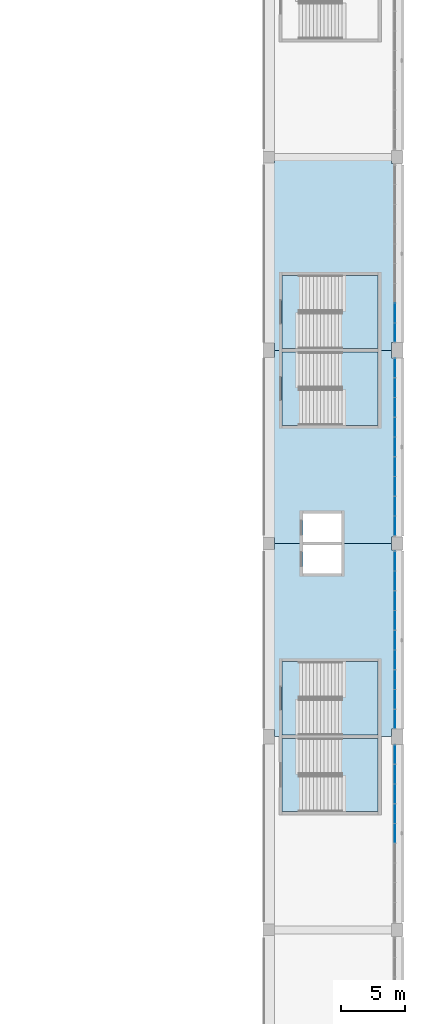
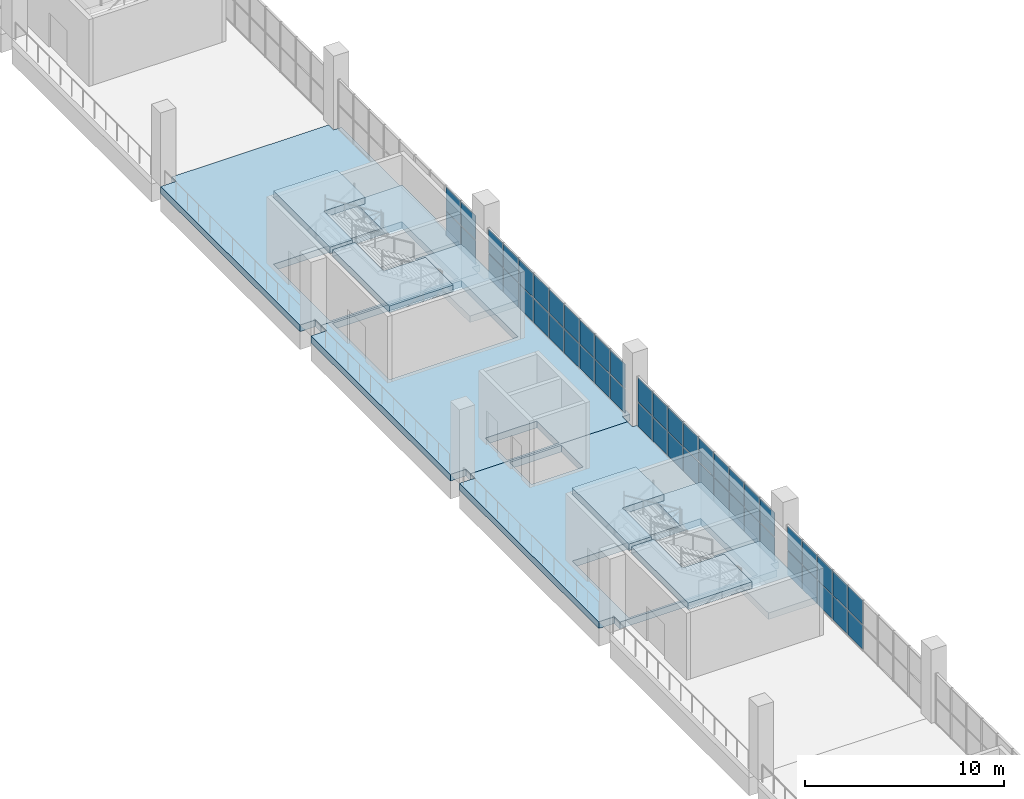
# One storey, part 51 of 177: 50 plates, 11 slabs, 8 elements without a shape of their own.
"""IFC4 building model written with IfcOpenShell, lengths in metres."""

from ifc_helpers import new_model, si_unit, direction, frame, origin, origin_2d, place, context, subcontext, project, spatial, polyline, rectangle, outline, extrude, material, layer, layer_set, type_object, element, aggregate, save


model = new_model("IFC4")

# Units and contexts
model_context = context("Model", 3, precision=1e-05, world=origin(), true_north=direction((0.0, 1.0)))
body_context = subcontext(model_context, "Body", "Model", "MODEL_VIEW")
ifc_project = project(units=[si_unit("LENGTHUNIT", "METRE"), si_unit("AREAUNIT", "SQUARE_METRE"), si_unit("VOLUMEUNIT", "CUBIC_METRE"), si_unit("PLANEANGLEUNIT", "RADIAN"), si_unit("MASSUNIT", "GRAM", prefix="KILO")], contexts=[model_context])

# Site, building, storey
site_placement = place(None, origin())
site = spatial("IfcSite", under=ifc_project, at=site_placement, CompositionType="ELEMENT")
building_placement = place(site_placement, origin())
building = spatial("IfcBuilding", under=site, at=building_placement, Name="Ogive Plaza Stadium", CompositionType="ELEMENT")
storey_placement = place(building_placement, frame((0.0, 0.0, 18.0)))
storey = spatial("IfcBuildingStorey", under=building, at=storey_placement, Name="L04", CompositionType="ELEMENT", Elevation=18.0)

# Curtain wall, plates
ifc_material_1 = material(Name="Bronze-anodised aluminium with laminated glass", Category="aluminium")
curtain_wall_type = type_object("IfcCurtainWallType", Name="Lancet curtain wall", PredefinedType="NOTDEFINED", material=ifc_material_1)
curtain_wall_1_placement = place(storey_placement, origin())
curtain_wall_1 = element("IfcCurtainWall", 1, at=curtain_wall_1_placement, inside=storey, type_object=curtain_wall_type, Name="CURTAIN WALL B03 L04", PredefinedType="NOTDEFINED")
ifc_material_2 = material(Name="Laminated glass", Category="glass")
ifc_layer_1 = layer(ifc_material_2, 0.028076171875)
ifc_layer_set_1 = layer_set([ifc_layer_1], Name="Laminated glass panel 28")
plate_type = type_object("IfcPlateType", Name="Laminated glass panel 28", PredefinedType="CURTAIN_PANEL", material=ifc_layer_set_1)
plate_1_placement = place(storey_placement, frame((83.800048828125, 10.39990234375, 0.0498046875), z_axis=(0.0, 0.0, 1.0), x_axis=(0.0, -1.0, 0.0)))
plate_1 = element("IfcPlate", 2, at=plate_1_placement, type_object=plate_type, Name="CW-B03-L04 panel 8.1", PredefinedType="CURTAIN_PANEL", context=body_context, shape_type="SweptSolid", body=[
    extrude(rectangle(XDim=1.4833984375, YDim=0.028076171875, at=origin_2d()), origin(), (0.0, 0.0, 1.0), 1.469970703125),
])
plate_2_placement = place(storey_placement, frame((83.800048828125, 10.39990234375, 1.56982421875), z_axis=(0.0, 0.0, 1.0), x_axis=(0.0, -1.0, 0.0)))
plate_2 = element("IfcPlate", 3, at=plate_2_placement, type_object=plate_type, Name="CW-B03-L04 panel 8.2", PredefinedType="CURTAIN_PANEL", context=body_context, shape_type="SweptSolid", body=[
    extrude(rectangle(XDim=1.4833984375, YDim=0.028076171875, at=origin_2d()), origin(), (0.0, 0.0, 1.0), 1.469970703125),
])
plate_3_placement = place(storey_placement, frame((83.800048828125, 8.879150390625, 0.0498046875), z_axis=(0.0, 0.0, 1.0), x_axis=(0.0, -1.0, 0.0)))
plate_3 = element("IfcPlate", 4, at=plate_3_placement, type_object=plate_type, Name="CW-B03-L04 panel 9.1", PredefinedType="CURTAIN_PANEL", context=body_context, shape_type="SweptSolid", body=[
    extrude(rectangle(XDim=1.458251953125, YDim=0.028076171875, at=origin_2d()), origin(), (0.0, 0.0, 1.0), 1.469970703125),
])
plate_4_placement = place(storey_placement, frame((83.800048828125, 8.879150390625, 1.56982421875), z_axis=(0.0, 0.0, 1.0), x_axis=(0.0, -1.0, 0.0)))
plate_4 = element("IfcPlate", 5, at=plate_4_placement, type_object=plate_type, Name="CW-B03-L04 panel 9.2", PredefinedType="CURTAIN_PANEL", context=body_context, shape_type="SweptSolid", body=[
    extrude(rectangle(XDim=1.458251953125, YDim=0.028076171875, at=origin_2d()), origin(), (0.0, 0.0, 1.0), 1.469970703125),
])
aggregate(curtain_wall_1, [plate_1, plate_2, plate_3, plate_4])

curtain_wall_2_placement = place(storey_placement, origin())
curtain_wall_2 = element("IfcCurtainWall", 6, at=curtain_wall_2_placement, inside=storey, type_object=curtain_wall_type, Name="CURTAIN WALL B04 L04", PredefinedType="NOTDEFINED")
plate_5_placement = place(storey_placement, frame((83.800048828125, 6.120849609375, 0.0498046875), z_axis=(0.0, 0.0, 1.0), x_axis=(0.0, -1.0, 0.0)))
plate_5 = element("IfcPlate", 7, at=plate_5_placement, type_object=plate_type, Name="CW-B04-L04 panel 1.1", PredefinedType="CURTAIN_PANEL", context=body_context, shape_type="SweptSolid", body=[
    extrude(rectangle(XDim=1.458251953125, YDim=0.028076171875, at=origin_2d()), origin(), (0.0, 0.0, 1.0), 1.469970703125),
])
plate_6_placement = place(storey_placement, frame((83.800048828125, 6.120849609375, 1.56982421875), z_axis=(0.0, 0.0, 1.0), x_axis=(0.0, -1.0, 0.0)))
plate_6 = element("IfcPlate", 8, at=plate_6_placement, type_object=plate_type, Name="CW-B04-L04 panel 1.2", PredefinedType="CURTAIN_PANEL", context=body_context, shape_type="SweptSolid", body=[
    extrude(rectangle(XDim=1.458251953125, YDim=0.028076171875, at=origin_2d()), origin(), (0.0, 0.0, 1.0), 1.469970703125),
])
plate_7_placement = place(storey_placement, frame((83.800048828125, 4.60009765625, 0.0498046875), z_axis=(0.0, 0.0, 1.0), x_axis=(0.0, -1.0, 0.0)))
plate_7 = element("IfcPlate", 9, at=plate_7_placement, type_object=plate_type, Name="CW-B04-L04 panel 2.1", PredefinedType="CURTAIN_PANEL", context=body_context, shape_type="SweptSolid", body=[
    extrude(rectangle(XDim=1.4833984375, YDim=0.028076171875, at=origin_2d()), origin(), (0.0, 0.0, 1.0), 1.469970703125),
])
plate_8_placement = place(storey_placement, frame((83.800048828125, 4.60009765625, 1.56982421875), z_axis=(0.0, 0.0, 1.0), x_axis=(0.0, -1.0, 0.0)))
plate_8 = element("IfcPlate", 10, at=plate_8_placement, type_object=plate_type, Name="CW-B04-L04 panel 2.2", PredefinedType="CURTAIN_PANEL", context=body_context, shape_type="SweptSolid", body=[
    extrude(rectangle(XDim=1.4833984375, YDim=0.028076171875, at=origin_2d()), origin(), (0.0, 0.0, 1.0), 1.469970703125),
])
plate_9_placement = place(storey_placement, frame((83.800048828125, 3.066650390625, 0.0498046875), z_axis=(0.0, 0.0, 1.0), x_axis=(0.0, -1.0, 0.0)))
plate_9 = element("IfcPlate", 11, at=plate_9_placement, type_object=plate_type, Name="CW-B04-L04 panel 3.1", PredefinedType="CURTAIN_PANEL", context=body_context, shape_type="SweptSolid", body=[
    extrude(rectangle(XDim=1.4833984375, YDim=0.028076171875, at=origin_2d()), origin(), (0.0, 0.0, 1.0), 1.469970703125),
])
plate_10_placement = place(storey_placement, frame((83.800048828125, 3.066650390625, 1.56982421875), z_axis=(0.0, 0.0, 1.0), x_axis=(0.0, -1.0, 0.0)))
plate_10 = element("IfcPlate", 12, at=plate_10_placement, type_object=plate_type, Name="CW-B04-L04 panel 3.2", PredefinedType="CURTAIN_PANEL", context=body_context, shape_type="SweptSolid", body=[
    extrude(rectangle(XDim=1.4833984375, YDim=0.028076171875, at=origin_2d()), origin(), (0.0, 0.0, 1.0), 1.469970703125),
])
plate_11_placement = place(storey_placement, frame((83.800048828125, 1.533447265625, 0.0498046875), z_axis=(0.0, 0.0, 1.0), x_axis=(0.0, -1.0, 0.0)))
plate_11 = element("IfcPlate", 13, at=plate_11_placement, type_object=plate_type, Name="CW-B04-L04 panel 4.1", PredefinedType="CURTAIN_PANEL", context=body_context, shape_type="SweptSolid", body=[
    extrude(rectangle(XDim=1.4833984375, YDim=0.028076171875, at=origin_2d()), origin(), (0.0, 0.0, 1.0), 1.469970703125),
])
plate_12_placement = place(storey_placement, frame((83.800048828125, 1.533447265625, 1.56982421875), z_axis=(0.0, 0.0, 1.0), x_axis=(0.0, -1.0, 0.0)))
plate_12 = element("IfcPlate", 14, at=plate_12_placement, type_object=plate_type, Name="CW-B04-L04 panel 4.2", PredefinedType="CURTAIN_PANEL", context=body_context, shape_type="SweptSolid", body=[
    extrude(rectangle(XDim=1.4833984375, YDim=0.028076171875, at=origin_2d()), origin(), (0.0, 0.0, 1.0), 1.469970703125),
])
plate_13_placement = place(storey_placement, frame((83.800048828125, 0.0, 0.0498046875), z_axis=(0.0, 0.0, 1.0), x_axis=(0.0, -1.0, 0.0)))
plate_13 = element("IfcPlate", 15, at=plate_13_placement, type_object=plate_type, Name="CW-B04-L04 panel 5.1", PredefinedType="CURTAIN_PANEL", context=body_context, shape_type="SweptSolid", body=[
    extrude(rectangle(XDim=1.4833984375, YDim=0.028076171875, at=origin_2d()), origin(), (0.0, 0.0, 1.0), 1.469970703125),
])
plate_14_placement = place(storey_placement, frame((83.800048828125, 0.0, 1.56982421875), z_axis=(0.0, 0.0, 1.0), x_axis=(0.0, -1.0, 0.0)))
plate_14 = element("IfcPlate", 16, at=plate_14_placement, type_object=plate_type, Name="CW-B04-L04 panel 5.2", PredefinedType="CURTAIN_PANEL", context=body_context, shape_type="SweptSolid", body=[
    extrude(rectangle(XDim=1.4833984375, YDim=0.028076171875, at=origin_2d()), origin(), (0.0, 0.0, 1.0), 1.469970703125),
])
plate_15_placement = place(storey_placement, frame((83.800048828125, -1.533447265625, 0.0498046875), z_axis=(0.0, 0.0, 1.0), x_axis=(0.0, -1.0, 0.0)))
plate_15 = element("IfcPlate", 17, at=plate_15_placement, type_object=plate_type, Name="CW-B04-L04 panel 6.1", PredefinedType="CURTAIN_PANEL", context=body_context, shape_type="SweptSolid", body=[
    extrude(rectangle(XDim=1.4833984375, YDim=0.028076171875, at=origin_2d()), origin(), (0.0, 0.0, 1.0), 1.469970703125),
])
plate_16_placement = place(storey_placement, frame((83.800048828125, -1.533447265625, 1.56982421875), z_axis=(0.0, 0.0, 1.0), x_axis=(0.0, -1.0, 0.0)))
plate_16 = element("IfcPlate", 18, at=plate_16_placement, type_object=plate_type, Name="CW-B04-L04 panel 6.2", PredefinedType="CURTAIN_PANEL", context=body_context, shape_type="SweptSolid", body=[
    extrude(rectangle(XDim=1.4833984375, YDim=0.028076171875, at=origin_2d()), origin(), (0.0, 0.0, 1.0), 1.469970703125),
])
plate_17_placement = place(storey_placement, frame((83.800048828125, -3.066650390625, 0.0498046875), z_axis=(0.0, 0.0, 1.0), x_axis=(0.0, -1.0, 0.0)))
plate_17 = element("IfcPlate", 19, at=plate_17_placement, type_object=plate_type, Name="CW-B04-L04 panel 7.1", PredefinedType="CURTAIN_PANEL", context=body_context, shape_type="SweptSolid", body=[
    extrude(rectangle(XDim=1.4833984375, YDim=0.028076171875, at=origin_2d()), origin(), (0.0, 0.0, 1.0), 1.469970703125),
])
plate_18_placement = place(storey_placement, frame((83.800048828125, -3.066650390625, 1.56982421875), z_axis=(0.0, 0.0, 1.0), x_axis=(0.0, -1.0, 0.0)))
plate_18 = element("IfcPlate", 20, at=plate_18_placement, type_object=plate_type, Name="CW-B04-L04 panel 7.2", PredefinedType="CURTAIN_PANEL", context=body_context, shape_type="SweptSolid", body=[
    extrude(rectangle(XDim=1.4833984375, YDim=0.028076171875, at=origin_2d()), origin(), (0.0, 0.0, 1.0), 1.469970703125),
])
plate_19_placement = place(storey_placement, frame((83.800048828125, -4.60009765625, 0.0498046875), z_axis=(0.0, 0.0, 1.0), x_axis=(0.0, -1.0, 0.0)))
plate_19 = element("IfcPlate", 21, at=plate_19_placement, type_object=plate_type, Name="CW-B04-L04 panel 8.1", PredefinedType="CURTAIN_PANEL", context=body_context, shape_type="SweptSolid", body=[
    extrude(rectangle(XDim=1.4833984375, YDim=0.028076171875, at=origin_2d()), origin(), (0.0, 0.0, 1.0), 1.469970703125),
])
plate_20_placement = place(storey_placement, frame((83.800048828125, -4.60009765625, 1.56982421875), z_axis=(0.0, 0.0, 1.0), x_axis=(0.0, -1.0, 0.0)))
plate_20 = element("IfcPlate", 22, at=plate_20_placement, type_object=plate_type, Name="CW-B04-L04 panel 8.2", PredefinedType="CURTAIN_PANEL", context=body_context, shape_type="SweptSolid", body=[
    extrude(rectangle(XDim=1.4833984375, YDim=0.028076171875, at=origin_2d()), origin(), (0.0, 0.0, 1.0), 1.469970703125),
])
plate_21_placement = place(storey_placement, frame((83.800048828125, -6.120849609375, 0.0498046875), z_axis=(0.0, 0.0, 1.0), x_axis=(0.0, -1.0, 0.0)))
plate_21 = element("IfcPlate", 23, at=plate_21_placement, type_object=plate_type, Name="CW-B04-L04 panel 9.1", PredefinedType="CURTAIN_PANEL", context=body_context, shape_type="SweptSolid", body=[
    extrude(rectangle(XDim=1.458251953125, YDim=0.028076171875, at=origin_2d()), origin(), (0.0, 0.0, 1.0), 1.469970703125),
])
plate_22_placement = place(storey_placement, frame((83.800048828125, -6.120849609375, 1.56982421875), z_axis=(0.0, 0.0, 1.0), x_axis=(0.0, -1.0, 0.0)))
plate_22 = element("IfcPlate", 24, at=plate_22_placement, type_object=plate_type, Name="CW-B04-L04 panel 9.2", PredefinedType="CURTAIN_PANEL", context=body_context, shape_type="SweptSolid", body=[
    extrude(rectangle(XDim=1.458251953125, YDim=0.028076171875, at=origin_2d()), origin(), (0.0, 0.0, 1.0), 1.469970703125),
])
aggregate(curtain_wall_2, [plate_5, plate_6, plate_7, plate_8, plate_9, plate_10, plate_11, plate_12, plate_13, plate_14, plate_15, plate_16, plate_17, plate_18, plate_19, plate_20, plate_21, plate_22])

curtain_wall_3_placement = place(storey_placement, origin())
curtain_wall_3 = element("IfcCurtainWall", 25, at=curtain_wall_3_placement, inside=storey, type_object=curtain_wall_type, Name="CURTAIN WALL B05 L04", PredefinedType="NOTDEFINED")
plate_23_placement = place(storey_placement, frame((83.800048828125, -8.879150390625, 0.0498046875), z_axis=(0.0, 0.0, 1.0), x_axis=(0.0, -1.0, 0.0)))
plate_23 = element("IfcPlate", 26, at=plate_23_placement, type_object=plate_type, Name="CW-B05-L04 panel 1.1", PredefinedType="CURTAIN_PANEL", context=body_context, shape_type="SweptSolid", body=[
    extrude(rectangle(XDim=1.458251953125, YDim=0.028076171875, at=origin_2d()), origin(), (0.0, 0.0, 1.0), 1.469970703125),
])
plate_24_placement = place(storey_placement, frame((83.800048828125, -8.879150390625, 1.56982421875), z_axis=(0.0, 0.0, 1.0), x_axis=(0.0, -1.0, 0.0)))
plate_24 = element("IfcPlate", 27, at=plate_24_placement, type_object=plate_type, Name="CW-B05-L04 panel 1.2", PredefinedType="CURTAIN_PANEL", context=body_context, shape_type="SweptSolid", body=[
    extrude(rectangle(XDim=1.458251953125, YDim=0.028076171875, at=origin_2d()), origin(), (0.0, 0.0, 1.0), 1.469970703125),
])
plate_25_placement = place(storey_placement, frame((83.800048828125, -10.39990234375, 0.0498046875), z_axis=(0.0, 0.0, 1.0), x_axis=(0.0, -1.0, 0.0)))
plate_25 = element("IfcPlate", 28, at=plate_25_placement, type_object=plate_type, Name="CW-B05-L04 panel 2.1", PredefinedType="CURTAIN_PANEL", context=body_context, shape_type="SweptSolid", body=[
    extrude(rectangle(XDim=1.4833984375, YDim=0.028076171875, at=origin_2d()), origin(), (0.0, 0.0, 1.0), 1.469970703125),
])
plate_26_placement = place(storey_placement, frame((83.800048828125, -10.39990234375, 1.56982421875), z_axis=(0.0, 0.0, 1.0), x_axis=(0.0, -1.0, 0.0)))
plate_26 = element("IfcPlate", 29, at=plate_26_placement, type_object=plate_type, Name="CW-B05-L04 panel 2.2", PredefinedType="CURTAIN_PANEL", context=body_context, shape_type="SweptSolid", body=[
    extrude(rectangle(XDim=1.4833984375, YDim=0.028076171875, at=origin_2d()), origin(), (0.0, 0.0, 1.0), 1.469970703125),
])
plate_27_placement = place(storey_placement, frame((83.800048828125, -11.933349609375, 0.0498046875), z_axis=(0.0, 0.0, 1.0), x_axis=(0.0, -1.0, 0.0)))
plate_27 = element("IfcPlate", 30, at=plate_27_placement, type_object=plate_type, Name="CW-B05-L04 panel 3.1", PredefinedType="CURTAIN_PANEL", context=body_context, shape_type="SweptSolid", body=[
    extrude(rectangle(XDim=1.4833984375, YDim=0.028076171875, at=origin_2d()), origin(), (0.0, 0.0, 1.0), 1.469970703125),
])
plate_28_placement = place(storey_placement, frame((83.800048828125, -11.933349609375, 1.56982421875), z_axis=(0.0, 0.0, 1.0), x_axis=(0.0, -1.0, 0.0)))
plate_28 = element("IfcPlate", 31, at=plate_28_placement, type_object=plate_type, Name="CW-B05-L04 panel 3.2", PredefinedType="CURTAIN_PANEL", context=body_context, shape_type="SweptSolid", body=[
    extrude(rectangle(XDim=1.4833984375, YDim=0.028076171875, at=origin_2d()), origin(), (0.0, 0.0, 1.0), 1.469970703125),
])
plate_29_placement = place(storey_placement, frame((83.800048828125, -13.466552734375, 0.0498046875), z_axis=(0.0, 0.0, 1.0), x_axis=(0.0, -1.0, 0.0)))
plate_29 = element("IfcPlate", 32, at=plate_29_placement, type_object=plate_type, Name="CW-B05-L04 panel 4.1", PredefinedType="CURTAIN_PANEL", context=body_context, shape_type="SweptSolid", body=[
    extrude(rectangle(XDim=1.4833984375, YDim=0.028076171875, at=origin_2d()), origin(), (0.0, 0.0, 1.0), 1.469970703125),
])
plate_30_placement = place(storey_placement, frame((83.800048828125, -13.466552734375, 1.56982421875), z_axis=(0.0, 0.0, 1.0), x_axis=(0.0, -1.0, 0.0)))
plate_30 = element("IfcPlate", 33, at=plate_30_placement, type_object=plate_type, Name="CW-B05-L04 panel 4.2", PredefinedType="CURTAIN_PANEL", context=body_context, shape_type="SweptSolid", body=[
    extrude(rectangle(XDim=1.4833984375, YDim=0.028076171875, at=origin_2d()), origin(), (0.0, 0.0, 1.0), 1.469970703125),
])
plate_31_placement = place(storey_placement, frame((83.800048828125, -15.0, 0.0498046875), z_axis=(0.0, 0.0, 1.0), x_axis=(0.0, -1.0, 0.0)))
plate_31 = element("IfcPlate", 34, at=plate_31_placement, type_object=plate_type, Name="CW-B05-L04 panel 5.1", PredefinedType="CURTAIN_PANEL", context=body_context, shape_type="SweptSolid", body=[
    extrude(rectangle(XDim=1.4833984375, YDim=0.028076171875, at=origin_2d()), origin(), (0.0, 0.0, 1.0), 1.469970703125),
])
plate_32_placement = place(storey_placement, frame((83.800048828125, -15.0, 1.56982421875), z_axis=(0.0, 0.0, 1.0), x_axis=(0.0, -1.0, 0.0)))
plate_32 = element("IfcPlate", 35, at=plate_32_placement, type_object=plate_type, Name="CW-B05-L04 panel 5.2", PredefinedType="CURTAIN_PANEL", context=body_context, shape_type="SweptSolid", body=[
    extrude(rectangle(XDim=1.4833984375, YDim=0.028076171875, at=origin_2d()), origin(), (0.0, 0.0, 1.0), 1.469970703125),
])
plate_33_placement = place(storey_placement, frame((83.800048828125, -16.533447265625, 0.0498046875), z_axis=(0.0, 0.0, 1.0), x_axis=(0.0, -1.0, 0.0)))
plate_33 = element("IfcPlate", 36, at=plate_33_placement, type_object=plate_type, Name="CW-B05-L04 panel 6.1", PredefinedType="CURTAIN_PANEL", context=body_context, shape_type="SweptSolid", body=[
    extrude(rectangle(XDim=1.4833984375, YDim=0.028076171875, at=origin_2d()), origin(), (0.0, 0.0, 1.0), 1.469970703125),
])
plate_34_placement = place(storey_placement, frame((83.800048828125, -16.533447265625, 1.56982421875), z_axis=(0.0, 0.0, 1.0), x_axis=(0.0, -1.0, 0.0)))
plate_34 = element("IfcPlate", 37, at=plate_34_placement, type_object=plate_type, Name="CW-B05-L04 panel 6.2", PredefinedType="CURTAIN_PANEL", context=body_context, shape_type="SweptSolid", body=[
    extrude(rectangle(XDim=1.4833984375, YDim=0.028076171875, at=origin_2d()), origin(), (0.0, 0.0, 1.0), 1.469970703125),
])
plate_35_placement = place(storey_placement, frame((83.800048828125, -18.066650390625, 0.0498046875), z_axis=(0.0, 0.0, 1.0), x_axis=(0.0, -1.0, 0.0)))
plate_35 = element("IfcPlate", 38, at=plate_35_placement, type_object=plate_type, Name="CW-B05-L04 panel 7.1", PredefinedType="CURTAIN_PANEL", context=body_context, shape_type="SweptSolid", body=[
    extrude(rectangle(XDim=1.4833984375, YDim=0.028076171875, at=origin_2d()), origin(), (0.0, 0.0, 1.0), 1.469970703125),
])
plate_36_placement = place(storey_placement, frame((83.800048828125, -18.066650390625, 1.56982421875), z_axis=(0.0, 0.0, 1.0), x_axis=(0.0, -1.0, 0.0)))
plate_36 = element("IfcPlate", 39, at=plate_36_placement, type_object=plate_type, Name="CW-B05-L04 panel 7.2", PredefinedType="CURTAIN_PANEL", context=body_context, shape_type="SweptSolid", body=[
    extrude(rectangle(XDim=1.4833984375, YDim=0.028076171875, at=origin_2d()), origin(), (0.0, 0.0, 1.0), 1.469970703125),
])
plate_37_placement = place(storey_placement, frame((83.800048828125, -19.60009765625, 0.0498046875), z_axis=(0.0, 0.0, 1.0), x_axis=(0.0, -1.0, 0.0)))
plate_37 = element("IfcPlate", 40, at=plate_37_placement, type_object=plate_type, Name="CW-B05-L04 panel 8.1", PredefinedType="CURTAIN_PANEL", context=body_context, shape_type="SweptSolid", body=[
    extrude(rectangle(XDim=1.4833984375, YDim=0.028076171875, at=origin_2d()), origin(), (0.0, 0.0, 1.0), 1.469970703125),
])
plate_38_placement = place(storey_placement, frame((83.800048828125, -19.60009765625, 1.56982421875), z_axis=(0.0, 0.0, 1.0), x_axis=(0.0, -1.0, 0.0)))
plate_38 = element("IfcPlate", 41, at=plate_38_placement, type_object=plate_type, Name="CW-B05-L04 panel 8.2", PredefinedType="CURTAIN_PANEL", context=body_context, shape_type="SweptSolid", body=[
    extrude(rectangle(XDim=1.4833984375, YDim=0.028076171875, at=origin_2d()), origin(), (0.0, 0.0, 1.0), 1.469970703125),
])
plate_39_placement = place(storey_placement, frame((83.800048828125, -21.120849609375, 0.0498046875), z_axis=(0.0, 0.0, 1.0), x_axis=(0.0, -1.0, 0.0)))
plate_39 = element("IfcPlate", 42, at=plate_39_placement, type_object=plate_type, Name="CW-B05-L04 panel 9.1", PredefinedType="CURTAIN_PANEL", context=body_context, shape_type="SweptSolid", body=[
    extrude(rectangle(XDim=1.458251953125, YDim=0.028076171875, at=origin_2d()), origin(), (0.0, 0.0, 1.0), 1.469970703125),
])
plate_40_placement = place(storey_placement, frame((83.800048828125, -21.120849609375, 1.56982421875), z_axis=(0.0, 0.0, 1.0), x_axis=(0.0, -1.0, 0.0)))
plate_40 = element("IfcPlate", 43, at=plate_40_placement, type_object=plate_type, Name="CW-B05-L04 panel 9.2", PredefinedType="CURTAIN_PANEL", context=body_context, shape_type="SweptSolid", body=[
    extrude(rectangle(XDim=1.458251953125, YDim=0.028076171875, at=origin_2d()), origin(), (0.0, 0.0, 1.0), 1.469970703125),
])
aggregate(curtain_wall_3, [plate_23, plate_24, plate_25, plate_26, plate_27, plate_28, plate_29, plate_30, plate_31, plate_32, plate_33, plate_34, plate_35, plate_36, plate_37, plate_38, plate_39, plate_40])

curtain_wall_4_placement = place(storey_placement, origin())
curtain_wall_4 = element("IfcCurtainWall", 44, at=curtain_wall_4_placement, inside=storey, type_object=curtain_wall_type, Name="CURTAIN WALL B06 L04", PredefinedType="NOTDEFINED")
plate_41_placement = place(storey_placement, frame((83.800048828125, -23.879150390625, 0.0498046875), z_axis=(0.0, 0.0, 1.0), x_axis=(0.0, -1.0, 0.0)))
plate_41 = element("IfcPlate", 45, at=plate_41_placement, type_object=plate_type, Name="CW-B06-L04 panel 1.1", PredefinedType="CURTAIN_PANEL", context=body_context, shape_type="SweptSolid", body=[
    extrude(rectangle(XDim=1.458251953125, YDim=0.028076171875, at=origin_2d()), origin(), (0.0, 0.0, 1.0), 1.469970703125),
])
plate_42_placement = place(storey_placement, frame((83.800048828125, -23.879150390625, 1.56982421875), z_axis=(0.0, 0.0, 1.0), x_axis=(0.0, -1.0, 0.0)))
plate_42 = element("IfcPlate", 46, at=plate_42_placement, type_object=plate_type, Name="CW-B06-L04 panel 1.2", PredefinedType="CURTAIN_PANEL", context=body_context, shape_type="SweptSolid", body=[
    extrude(rectangle(XDim=1.458251953125, YDim=0.028076171875, at=origin_2d()), origin(), (0.0, 0.0, 1.0), 1.469970703125),
])
plate_43_placement = place(storey_placement, frame((83.800048828125, -25.39990234375, 0.0498046875), z_axis=(0.0, 0.0, 1.0), x_axis=(0.0, -1.0, 0.0)))
plate_43 = element("IfcPlate", 47, at=plate_43_placement, type_object=plate_type, Name="CW-B06-L04 panel 2.1", PredefinedType="CURTAIN_PANEL", context=body_context, shape_type="SweptSolid", body=[
    extrude(rectangle(XDim=1.4833984375, YDim=0.028076171875, at=origin_2d()), origin(), (0.0, 0.0, 1.0), 1.469970703125),
])
plate_44_placement = place(storey_placement, frame((83.800048828125, -25.39990234375, 1.56982421875), z_axis=(0.0, 0.0, 1.0), x_axis=(0.0, -1.0, 0.0)))
plate_44 = element("IfcPlate", 48, at=plate_44_placement, type_object=plate_type, Name="CW-B06-L04 panel 2.2", PredefinedType="CURTAIN_PANEL", context=body_context, shape_type="SweptSolid", body=[
    extrude(rectangle(XDim=1.4833984375, YDim=0.028076171875, at=origin_2d()), origin(), (0.0, 0.0, 1.0), 1.469970703125),
])
plate_45_placement = place(storey_placement, frame((83.800048828125, -26.933349609375, 0.0498046875), z_axis=(0.0, 0.0, 1.0), x_axis=(0.0, -1.0, 0.0)))
plate_45 = element("IfcPlate", 49, at=plate_45_placement, type_object=plate_type, Name="CW-B06-L04 panel 3.1", PredefinedType="CURTAIN_PANEL", context=body_context, shape_type="SweptSolid", body=[
    extrude(rectangle(XDim=1.4833984375, YDim=0.028076171875, at=origin_2d()), origin(), (0.0, 0.0, 1.0), 1.469970703125),
])
plate_46_placement = place(storey_placement, frame((83.800048828125, -26.933349609375, 1.56982421875), z_axis=(0.0, 0.0, 1.0), x_axis=(0.0, -1.0, 0.0)))
plate_46 = element("IfcPlate", 50, at=plate_46_placement, type_object=plate_type, Name="CW-B06-L04 panel 3.2", PredefinedType="CURTAIN_PANEL", context=body_context, shape_type="SweptSolid", body=[
    extrude(rectangle(XDim=1.4833984375, YDim=0.028076171875, at=origin_2d()), origin(), (0.0, 0.0, 1.0), 1.469970703125),
])
plate_47_placement = place(storey_placement, frame((83.800048828125, -28.466552734375, 0.0498046875), z_axis=(0.0, 0.0, 1.0), x_axis=(0.0, -1.0, 0.0)))
plate_47 = element("IfcPlate", 51, at=plate_47_placement, type_object=plate_type, Name="CW-B06-L04 panel 4.1", PredefinedType="CURTAIN_PANEL", context=body_context, shape_type="SweptSolid", body=[
    extrude(rectangle(XDim=1.4833984375, YDim=0.028076171875, at=origin_2d()), origin(), (0.0, 0.0, 1.0), 1.469970703125),
])
plate_48_placement = place(storey_placement, frame((83.800048828125, -28.466552734375, 1.56982421875), z_axis=(0.0, 0.0, 1.0), x_axis=(0.0, -1.0, 0.0)))
plate_48 = element("IfcPlate", 52, at=plate_48_placement, type_object=plate_type, Name="CW-B06-L04 panel 4.2", PredefinedType="CURTAIN_PANEL", context=body_context, shape_type="SweptSolid", body=[
    extrude(rectangle(XDim=1.4833984375, YDim=0.028076171875, at=origin_2d()), origin(), (0.0, 0.0, 1.0), 1.469970703125),
])
plate_49_placement = place(storey_placement, frame((83.800048828125, -30.0, 0.0498046875), z_axis=(0.0, 0.0, 1.0), x_axis=(0.0, -1.0, 0.0)))
plate_49 = element("IfcPlate", 53, at=plate_49_placement, type_object=plate_type, Name="CW-B06-L04 panel 5.1", PredefinedType="CURTAIN_PANEL", context=body_context, shape_type="SweptSolid", body=[
    extrude(rectangle(XDim=1.4833984375, YDim=0.028076171875, at=origin_2d()), origin(), (0.0, 0.0, 1.0), 1.469970703125),
])
plate_50_placement = place(storey_placement, frame((83.800048828125, -30.0, 1.56982421875), z_axis=(0.0, 0.0, 1.0), x_axis=(0.0, -1.0, 0.0)))
plate_50 = element("IfcPlate", 54, at=plate_50_placement, type_object=plate_type, Name="CW-B06-L04 panel 5.2", PredefinedType="CURTAIN_PANEL", context=body_context, shape_type="SweptSolid", body=[
    extrude(rectangle(XDim=1.4833984375, YDim=0.028076171875, at=origin_2d()), origin(), (0.0, 0.0, 1.0), 1.469970703125),
])
aggregate(curtain_wall_4, [plate_41, plate_42, plate_43, plate_44, plate_45, plate_46, plate_47, plate_48, plate_49, plate_50])

# Slabs
ifc_material_3 = material(Name="Concrete C40/50", Category="concrete")
ifc_layer_2 = layer(ifc_material_3, 0.409912109375)
ifc_layer_set_2 = layer_set([ifc_layer_2], Name="Concrete C40/50")
slab_type_1 = type_object("IfcSlabType", Name="RC floor slab 410", PredefinedType="FLOOR", material=ifc_layer_set_2)
slab_1_placement = place(storey_placement, frame((0.0, 0.0, -0.409912109375)))
element("IfcSlab", 55, at=slab_1_placement, inside=storey, type_object=slab_type_1, Name="Floor slab L04 B03", PredefinedType="FLOOR", context=body_context, shape_type="SweptSolid", body=[
    extrude(outline(polyline([(83.550048828125, 7.5), (83.550048828125, 8.10009765625), (84.0, 8.10009765625), (84.0, 22.0), (83.550048828125, 22.0), (83.550048828125, 22.5), (74.449951171875, 22.5), (74.449951171875, 22.050048828125), (73.550048828125, 22.050048828125), (73.550048828125, 8.050048828125), (74.449951171875, 8.050048828125), (74.449951171875, 7.5), (83.550048828125, 7.5)]), holes=[polyline([(75.050048828125, 13.324951171875), (75.050048828125, 7.625), (82.510009765625, 7.625), (82.510009765625, 13.324951171875), (75.050048828125, 13.324951171875)])]), origin(), (0.0, 0.0, 1.0), 0.409912109375),
])
slab_2_placement = place(storey_placement, frame((0.0, 0.0, -0.409912109375)))
element("IfcSlab", 56, at=slab_2_placement, inside=storey, type_object=slab_type_1, Name="Floor slab L04 B04", PredefinedType="FLOOR", context=body_context, shape_type="SweptSolid", body=[
    extrude(outline(polyline([(83.550048828125, -7.5), (83.550048828125, -7.0), (84.0, -7.0), (84.0, 6.89990234375), (83.550048828125, 6.89990234375), (83.550048828125, 7.5), (74.449951171875, 7.5), (74.449951171875, 6.949951171875), (73.550048828125, 6.949951171875), (73.550048828125, -7.050048828125), (74.449951171875, -7.050048828125), (74.449951171875, -7.5), (83.550048828125, -7.5)]), holes=[polyline([(76.64990234375, -5.175048828125), (76.64990234375, -7.375), (79.64990234375, -7.375), (79.64990234375, -5.175048828125), (76.64990234375, -5.175048828125)]), polyline([(75.050048828125, 7.375), (75.050048828125, 1.675048828125), (82.510009765625, 1.675048828125), (82.510009765625, 7.375), (75.050048828125, 7.375)])]), origin(), (0.0, 0.0, 1.0), 0.409912109375),
])
slab_3_placement = place(storey_placement, frame((0.0, 0.0, -0.409912109375)))
element("IfcSlab", 57, at=slab_3_placement, inside=storey, type_object=slab_type_1, Name="Floor slab L04 B05", PredefinedType="FLOOR", context=body_context, shape_type="SweptSolid", body=[
    extrude(outline(polyline([(83.550048828125, -22.5), (83.550048828125, -21.89990234375), (84.0, -21.89990234375), (84.0, -8.0), (83.550048828125, -8.0), (83.550048828125, -7.5), (74.449951171875, -7.5), (74.449951171875, -7.949951171875), (73.550048828125, -7.949951171875), (73.550048828125, -21.949951171875), (74.449951171875, -21.949951171875), (74.449951171875, -22.5), (83.550048828125, -22.5)]), holes=[polyline([(75.050048828125, -16.675048828125), (75.050048828125, -22.375), (82.510009765625, -22.375), (82.510009765625, -16.675048828125), (75.050048828125, -16.675048828125)]), polyline([(76.64990234375, -7.625), (76.64990234375, -9.824951171875), (79.64990234375, -9.824951171875), (79.64990234375, -7.625), (76.64990234375, -7.625)])]), origin(), (0.0, 0.0, 1.0), 0.409912109375),
])

# Stair, slabs
ifc_material_4 = material(Name="Concrete C40/50", Category="concrete")
stair_type = type_object("IfcStairType", Name="Exit stair", PredefinedType="STRAIGHT_RUN_STAIR", material=ifc_material_4)
stair_1_placement = place(storey_placement, origin())
stair_1 = element("IfcStair", 58, at=stair_1_placement, inside=storey, type_object=stair_type, Name="Exit stair ST04A L04 to L05", PredefinedType="STRAIGHT_RUN_STAIR")
ifc_material_5 = material(Name="Concrete C40/50", Category="concrete")
ifc_layer_3 = layer(ifc_material_5, 0.39990234375)
ifc_layer_set_3 = layer_set([ifc_layer_3], Name="Concrete C40/50")
slab_type_2 = type_object("IfcSlabType", Name="Stair landing", PredefinedType="LANDING", material=ifc_layer_set_3)
slab_4_placement = place(storey_placement, frame((0.0, 0.0, 1.85009765625)))
slab_4 = element("IfcSlab", 59, at=slab_4_placement, type_object=slab_type_2, Name="ST04A landing 1", PredefinedType="LANDING", context=body_context, shape_type="SweptSolid", body=[
    extrude(outline(polyline([(82.510009765625, 7.375), (82.510009765625, 1.675048828125), (79.7099609375, 1.675048828125), (79.7099609375, 4.574951171875), (77.31005859375, 4.574951171875), (77.31005859375, 7.375), (79.7099609375, 7.375), (82.510009765625, 7.375)])), origin(), (0.0, 0.0, 1.0), 0.39990234375),
])
slab_5_placement = place(storey_placement, frame((0.0, 0.0, 4.10009765625)))
slab_5 = element("IfcSlab", 60, at=slab_5_placement, type_object=slab_type_2, Name="ST04A landing 2", PredefinedType="LANDING", context=body_context, shape_type="SweptSolid", body=[
    extrude(outline(polyline([(78.75, 4.47509765625), (78.75, 1.675048828125), (76.35009765625, 1.675048828125), (75.050048828125, 1.675048828125), (75.050048828125, 7.375), (76.35009765625, 7.375), (76.35009765625, 4.47509765625), (78.75, 4.47509765625)])), origin(), (0.0, 0.0, 1.0), 0.39990234375),
])
aggregate(stair_1, [slab_4, slab_5])

stair_2_placement = place(storey_placement, origin())
stair_2 = element("IfcStair", 61, at=stair_2_placement, inside=storey, type_object=stair_type, Name="Exit stair ST04B L04 to L05", PredefinedType="STRAIGHT_RUN_STAIR")
slab_6_placement = place(storey_placement, frame((0.0, 0.0, 1.85009765625)))
slab_6 = element("IfcSlab", 62, at=slab_6_placement, type_object=slab_type_2, Name="ST04B landing 1", PredefinedType="LANDING", context=body_context, shape_type="SweptSolid", body=[
    extrude(outline(polyline([(77.31005859375, 7.625), (77.31005859375, 10.425048828125), (79.7099609375, 10.425048828125), (79.7099609375, 13.324951171875), (82.510009765625, 13.324951171875), (82.510009765625, 7.625), (79.7099609375, 7.625), (77.31005859375, 7.625)])), origin(), (0.0, 0.0, 1.0), 0.39990234375),
])
slab_7_placement = place(storey_placement, frame((0.0, 0.0, 4.10009765625)))
slab_7 = element("IfcSlab", 63, at=slab_7_placement, type_object=slab_type_2, Name="ST04B landing 2", PredefinedType="LANDING", context=body_context, shape_type="SweptSolid", body=[
    extrude(outline(polyline([(76.35009765625, 7.625), (75.050048828125, 7.625), (75.050048828125, 13.324951171875), (76.35009765625, 13.324951171875), (78.75, 13.324951171875), (78.75, 10.52490234375), (76.35009765625, 10.52490234375), (76.35009765625, 7.625)])), origin(), (0.0, 0.0, 1.0), 0.39990234375),
])
aggregate(stair_2, [slab_6, slab_7])

stair_3_placement = place(storey_placement, origin())
stair_3 = element("IfcStair", 64, at=stair_3_placement, inside=storey, type_object=stair_type, Name="Exit stair ST06A L04 to L05", PredefinedType="STRAIGHT_RUN_STAIR")
slab_8_placement = place(storey_placement, frame((0.0, 0.0, 1.85009765625)))
slab_8 = element("IfcSlab", 65, at=slab_8_placement, type_object=slab_type_2, Name="ST06A landing 1", PredefinedType="LANDING", context=body_context, shape_type="SweptSolid", body=[
    extrude(outline(polyline([(82.510009765625, -22.625), (82.510009765625, -28.324951171875), (79.7099609375, -28.324951171875), (79.7099609375, -25.425048828125), (77.31005859375, -25.425048828125), (77.31005859375, -22.625), (79.7099609375, -22.625), (82.510009765625, -22.625)])), origin(), (0.0, 0.0, 1.0), 0.39990234375),
])
slab_9_placement = place(storey_placement, frame((0.0, 0.0, 4.10009765625)))
slab_9 = element("IfcSlab", 66, at=slab_9_placement, type_object=slab_type_2, Name="ST06A landing 2", PredefinedType="LANDING", context=body_context, shape_type="SweptSolid", body=[
    extrude(outline(polyline([(78.75, -25.52490234375), (78.75, -28.324951171875), (76.35009765625, -28.324951171875), (75.050048828125, -28.324951171875), (75.050048828125, -22.625), (76.35009765625, -22.625), (76.35009765625, -25.52490234375), (78.75, -25.52490234375)])), origin(), (0.0, 0.0, 1.0), 0.39990234375),
])
aggregate(stair_3, [slab_8, slab_9])

stair_4_placement = place(storey_placement, origin())
stair_4 = element("IfcStair", 67, at=stair_4_placement, inside=storey, type_object=stair_type, Name="Exit stair ST06B L04 to L05", PredefinedType="STRAIGHT_RUN_STAIR")
slab_10_placement = place(storey_placement, frame((0.0, 0.0, 1.85009765625)))
slab_10 = element("IfcSlab", 68, at=slab_10_placement, type_object=slab_type_2, Name="ST06B landing 1", PredefinedType="LANDING", context=body_context, shape_type="SweptSolid", body=[
    extrude(outline(polyline([(77.31005859375, -22.375), (77.31005859375, -19.574951171875), (79.7099609375, -19.574951171875), (79.7099609375, -16.675048828125), (82.510009765625, -16.675048828125), (82.510009765625, -22.375), (79.7099609375, -22.375), (77.31005859375, -22.375)])), origin(), (0.0, 0.0, 1.0), 0.39990234375),
])
slab_11_placement = place(storey_placement, frame((0.0, 0.0, 4.10009765625)))
slab_11 = element("IfcSlab", 69, at=slab_11_placement, type_object=slab_type_2, Name="ST06B landing 2", PredefinedType="LANDING", context=body_context, shape_type="SweptSolid", body=[
    extrude(outline(polyline([(76.35009765625, -22.375), (75.050048828125, -22.375), (75.050048828125, -16.675048828125), (76.35009765625, -16.675048828125), (78.75, -16.675048828125), (78.75, -19.47509765625), (76.35009765625, -19.47509765625), (76.35009765625, -22.375)])), origin(), (0.0, 0.0, 1.0), 0.39990234375),
])
aggregate(stair_4, [slab_10, slab_11])

save(model, "model.ifc")
